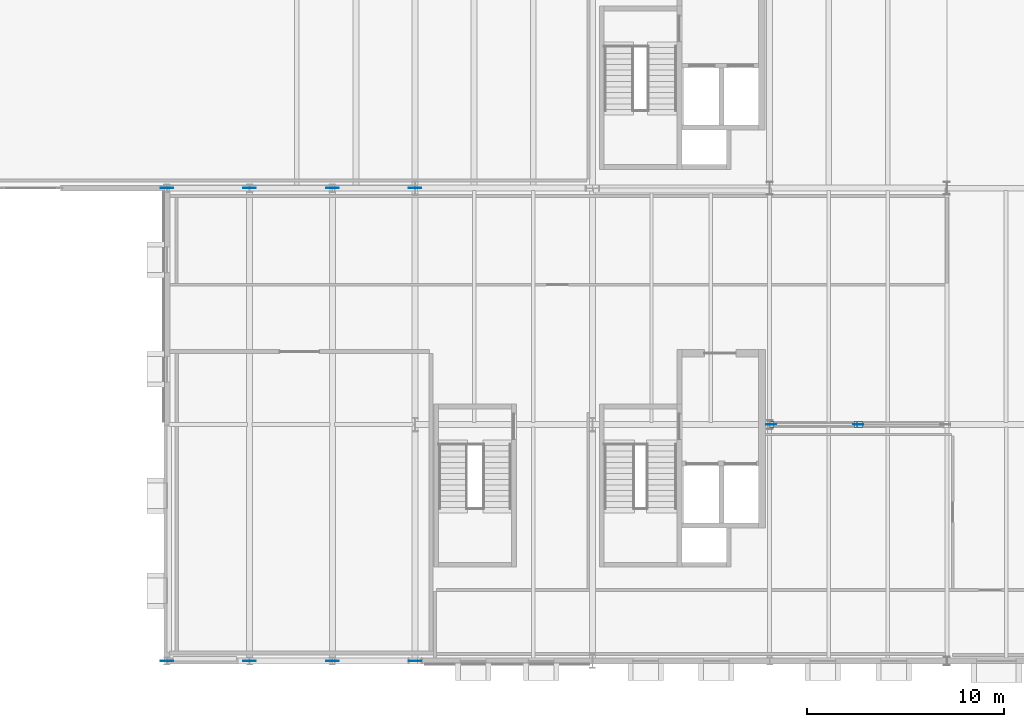
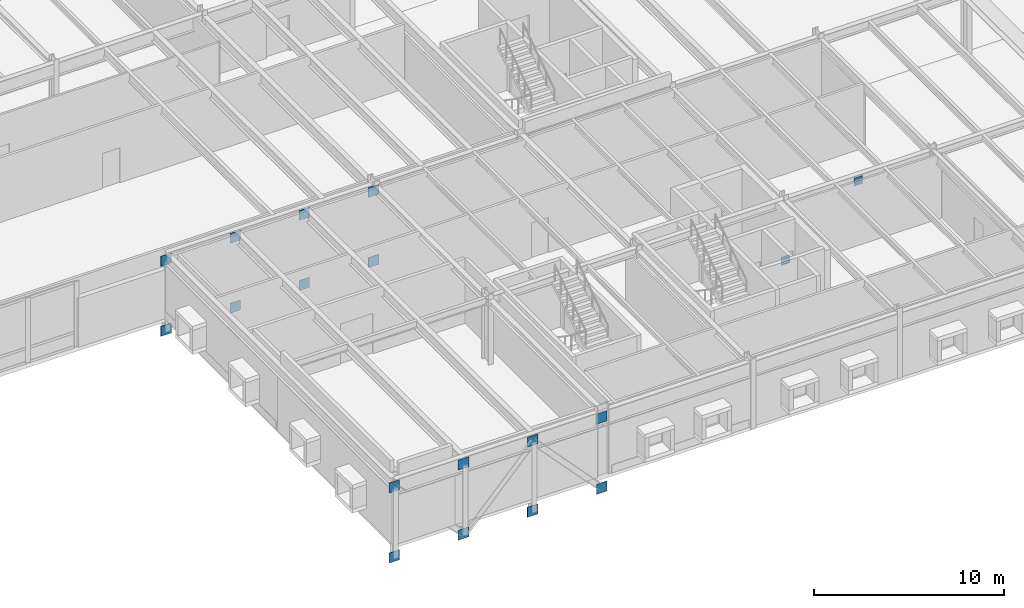
# One storey, part 97 of 115: 21 plates.
"""IFC4 building model written with IfcOpenShell, lengths in metres."""

from ifc_helpers import new_model, si_unit, direction, frame, origin, origin_2d, place, context, subcontext, project, spatial, rectangle, extrude, material, layer, layer_set, type_object, element, save


model = new_model("IFC4")

# Units and contexts
model_context = context("Model", 3, precision=1e-05, world=origin(), true_north=direction((0.0, 1.0)))
body_context = subcontext(model_context, "Body", "Model", "MODEL_VIEW")
ifc_project = project(units=[si_unit("LENGTHUNIT", "METRE"), si_unit("AREAUNIT", "SQUARE_METRE"), si_unit("VOLUMEUNIT", "CUBIC_METRE"), si_unit("PLANEANGLEUNIT", "RADIAN"), si_unit("MASSUNIT", "GRAM", prefix="KILO")], contexts=[model_context])

# Site, building, storey
site_placement = place(None, origin())
site = spatial("IfcSite", under=ifc_project, at=site_placement, CompositionType="ELEMENT")
building_placement = place(site_placement, origin())
building = spatial("IfcBuilding", under=site, at=building_placement, Name="Montelvaro Courts of Justice", CompositionType="ELEMENT")
storey_placement = place(building_placement, frame((0.0, 0.0, 9.89990234375)))
storey = spatial("IfcBuildingStorey", under=building, at=storey_placement, Name="L02", CompositionType="ELEMENT", Elevation=9.89990234375)

# Plates
ifc_material = material(Name="Steel S355", Category="steel")
ifc_layer_1 = layer(ifc_material, 0.011962890625)
ifc_layer_set_1 = layer_set([ifc_layer_1], Name="Steel S355")
plate_type_1 = type_object("IfcPlateType", Name="EndCapPlate_12", PredefinedType="USERDEFINED", material=ifc_layer_set_1)
for number, where, z_axis, x_axis, name in (
    (1, (63.080078125, 12.0, 0.07421875), (0.0, 0.0, 1.0), (1.0, 0.0, 0.0), "Brace End Cap Plate CP-01 CBF1-L02-1A"),
    (2, (67.419921875, 12.0, 3.654296875), (0.0, 0.0, 1.0), (1.0, 0.0, 0.0), "Brace End Cap Plate CP-01 CBF1-L02-1B"),
    (3, (67.580078125, 12.0, 3.654296875), (0.0, 0.0, 1.0), (1.0, 0.0, 0.0), "Brace End Cap Plate CP-01 CBF1-L02-2B"),
):
    element("IfcPlate", number, at=place(storey_placement, frame(where, z_axis=z_axis, x_axis=x_axis)), inside=storey, type_object=plate_type_1, Name=name, ObjectType="GUSSET PLATE", PredefinedType="USERDEFINED", context=body_context, shape_type="SweptSolid", body=[
        extrude(rectangle(XDim=0.300048828125, YDim=0.300048828125, at=origin_2d()), origin(), (0.0, 0.0, 1.0), 0.011962890625),
    ])
ifc_layer_2 = layer(ifc_material, 0.02001953125)
ifc_layer_set_2 = layer_set([ifc_layer_2], Name="Steel S355")
plate_type_2 = type_object("IfcPlateType", Name="GussetPlate_20", PredefinedType="USERDEFINED", material=ifc_layer_set_2)
for number, where, z_axis, x_axis, name in (
    (4, (63.080078125, 12.0, -0.099853515625), (0.0, 0.0, 1.0), (1.0, 0.0, 0.0), "Chevron Brace Base Gusset Plate GP-01 CBF1-L02-B1"),
    (5, (67.5, 12.0, 3.440185546875), (0.0, 0.0, 1.0), (1.0, 0.0, 0.0), "Chevron Brace Gusset Plate GP-01 CBF1-L02"),
):
    element("IfcPlate", number, at=place(storey_placement, frame(where, z_axis=z_axis, x_axis=x_axis)), inside=storey, type_object=plate_type_2, Name=name, ObjectType="GUSSET PLATE", PredefinedType="USERDEFINED", context=body_context, shape_type="SweptSolid", body=[
        extrude(rectangle(XDim=0.52001953125, YDim=0.02001953125, at=origin_2d()), origin(), (0.0, 0.0, 1.0), 0.52001953125),
    ])
ifc_layer_3 = layer(ifc_material, 0.028076171875)
ifc_layer_set_3 = layer_set([ifc_layer_3], Name="Steel S355")
plate_type_3 = type_object("IfcPlateType", Name="GussetPlate_28", PredefinedType="USERDEFINED", material=ifc_layer_set_3)
for number, where, z_axis, x_axis, name in (
    (6, (45.0, 0.0, -1.1640625), (0.0, 0.0, 1.0), (1.0, 0.0, 0.0), "Pratt Truss Gusset Plate GP-02 CTR-BAR1-S-L02-0B"),
    (7, (45.0, 0.0, 3.3359375), (0.0, 0.0, 1.0), (1.0, 0.0, 0.0), "Pratt Truss Gusset Plate GP-02 CTR-BAR1-S-L02-0T"),
    (8, (40.800048828125, 0.0, -1.1640625), (0.0, 0.0, 1.0), (1.0, 0.0, 0.0), "Pratt Truss Gusset Plate GP-02 CTR-BAR1-S-L02-1B"),
    (9, (40.800048828125, 0.0, 3.3359375), (0.0, 0.0, 1.0), (1.0, 0.0, 0.0), "Pratt Truss Gusset Plate GP-02 CTR-BAR1-S-L02-1T"),
    (10, (36.60009765625, 0.0, -1.1640625), (0.0, 0.0, 1.0), (1.0, 0.0, 0.0), "Pratt Truss Gusset Plate GP-02 CTR-BAR1-S-L02-2B"),
    (11, (36.60009765625, 0.0, 3.3359375), (0.0, 0.0, 1.0), (1.0, 0.0, 0.0), "Pratt Truss Gusset Plate GP-02 CTR-BAR1-S-L02-2T"),
    (12, (32.39990234375, 0.0, -1.1640625), (0.0, 0.0, 1.0), (1.0, 0.0, 0.0), "Pratt Truss Gusset Plate GP-02 CTR-BAR1-S-L02-3B"),
    (13, (32.39990234375, 0.0, 3.3359375), (0.0, 0.0, 1.0), (1.0, 0.0, 0.0), "Pratt Truss Gusset Plate GP-02 CTR-BAR1-S-L02-3T"),
    (14, (45.0, 24.0, -1.1640625), (0.0, 0.0, 1.0), (1.0, 0.0, 0.0), "Pratt Truss Gusset Plate GP-02 CTR-BAR1-N-L02-0B"),
    (15, (45.0, 24.0, 3.3359375), (0.0, 0.0, 1.0), (1.0, 0.0, 0.0), "Pratt Truss Gusset Plate GP-02 CTR-BAR1-N-L02-0T"),
    (16, (40.800048828125, 24.0, -1.1640625), (0.0, 0.0, 1.0), (1.0, 0.0, 0.0), "Pratt Truss Gusset Plate GP-02 CTR-BAR1-N-L02-1B"),
    (17, (40.800048828125, 24.0, 3.3359375), (0.0, 0.0, 1.0), (1.0, 0.0, 0.0), "Pratt Truss Gusset Plate GP-02 CTR-BAR1-N-L02-1T"),
    (18, (36.60009765625, 24.0, -1.1640625), (0.0, 0.0, 1.0), (1.0, 0.0, 0.0), "Pratt Truss Gusset Plate GP-02 CTR-BAR1-N-L02-2B"),
    (19, (36.60009765625, 24.0, 3.3359375), (0.0, 0.0, 1.0), (1.0, 0.0, 0.0), "Pratt Truss Gusset Plate GP-02 CTR-BAR1-N-L02-2T"),
    (20, (32.39990234375, 24.0, -1.1640625), (0.0, 0.0, 1.0), (1.0, 0.0, 0.0), "Pratt Truss Gusset Plate GP-02 CTR-BAR1-N-L02-3B"),
    (21, (32.39990234375, 24.0, 3.3359375), (0.0, 0.0, 1.0), (1.0, 0.0, 0.0), "Pratt Truss Gusset Plate GP-02 CTR-BAR1-N-L02-3T"),
):
    element("IfcPlate", number, at=place(storey_placement, frame(where, z_axis=z_axis, x_axis=x_axis)), inside=storey, type_object=plate_type_3, Name=name, ObjectType="GUSSET PLATE", PredefinedType="USERDEFINED", context=body_context, shape_type="SweptSolid", body=[
        extrude(rectangle(XDim=0.639892578125, YDim=0.028076171875, at=origin_2d()), origin(), (0.0, 0.0, 1.0), 0.639892578125),
    ])

save(model, "model.ifc")
